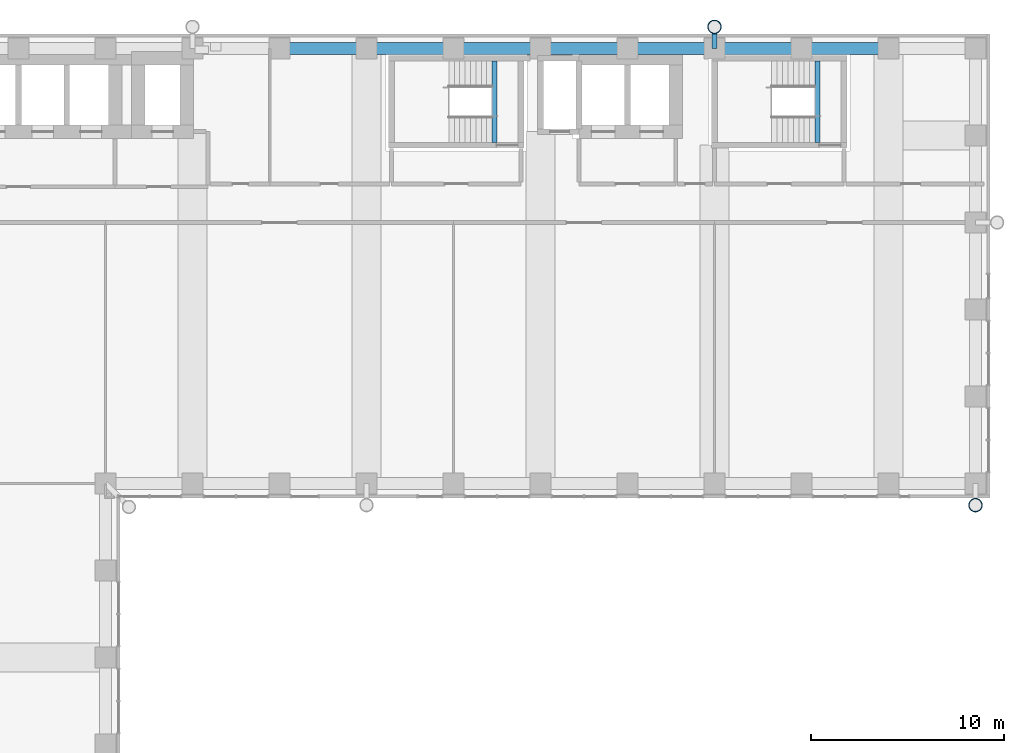
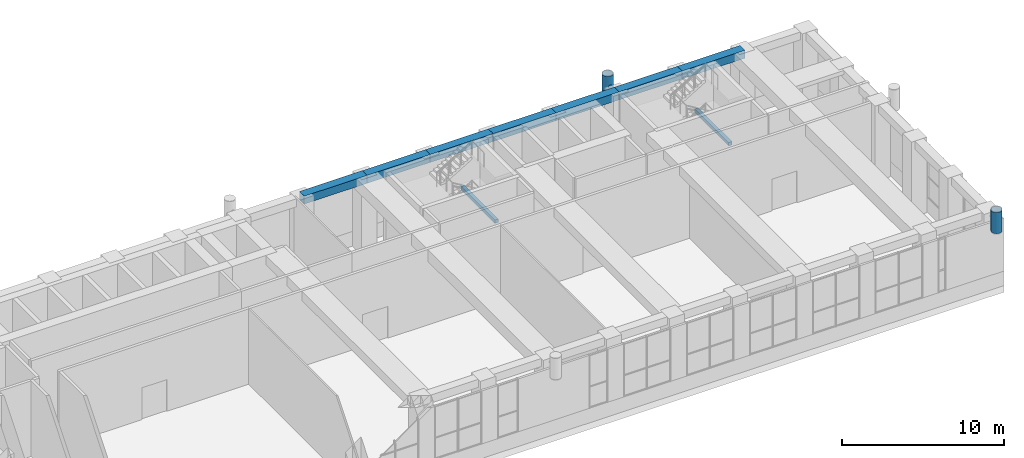
# One storey, part 8 of 22: 9 beams, 3 members.
"""IFC4 building model written with IfcOpenShell, lengths in metres."""

from ifc_helpers import new_model, si_unit, direction, frame, origin, origin_2d, place, context, subcontext, project, spatial, rectangle, hollow_circle, extrude, material, material_profile, profile_set, type_object, element, save


model = new_model("IFC4")

# Units and contexts
model_context = context("Model", 3, precision=1e-05, world=origin(), true_north=direction((0.0, 1.0)))
body_context = subcontext(model_context, "Body", "Model", "MODEL_VIEW")
ifc_project = project(units=[si_unit("LENGTHUNIT", "METRE"), si_unit("AREAUNIT", "SQUARE_METRE"), si_unit("VOLUMEUNIT", "CUBIC_METRE"), si_unit("PLANEANGLEUNIT", "RADIAN"), si_unit("MASSUNIT", "GRAM", prefix="KILO")], contexts=[model_context])

# Site, building, storey
site_placement = place(None, origin())
site = spatial("IfcSite", under=ifc_project, at=site_placement, CompositionType="ELEMENT")
building_placement = place(site_placement, origin())
building = spatial("IfcBuilding", under=site, at=building_placement, Name="Firuza Court", CompositionType="ELEMENT")
storey_placement = place(building_placement, frame((0.0, 0.0, 113.60009765625)))
storey = spatial("IfcBuildingStorey", under=building, at=storey_placement, Name="L28", CompositionType="ELEMENT", Elevation=113.60009765625)

# Members
ifc_material_1 = material(Name="Steel S355", Category="steel")
ifc_material_profile_1 = material_profile(ifc_material_1, hollow_circle(Radius=0.35546875, WallThickness=0.030029296875, at=origin_2d()), Name="CHS 711x30")
ifc_profile_set_1 = profile_set([ifc_material_profile_1], Name="Steel S355")
member_type_1 = type_object("IfcMemberType", Name="Diagrid node CHS 711x30 S355", PredefinedType="USERDEFINED", material=ifc_profile_set_1)
for number, where, z_axis, x_axis, name in (
    (1, (54.0, 59.6201171875, 4.64990234375), (0.0, 0.0, 1.0), (1.0, 0.0, 0.0), "Diagrid node level L28"),
    (2, (67.5, 34.8798828125, 4.64990234375), (0.0, 0.0, 1.0), (1.0, 0.0, 0.0), "Diagrid node level L28"),
):
    element("IfcMember", number, at=place(storey_placement, frame(where, z_axis=z_axis, x_axis=x_axis)), inside=storey, type_object=member_type_1, Name=name, ObjectType="DIAGRID NODE", PredefinedType="USERDEFINED", context=body_context, shape_type="SweptSolid", body=[
        extrude(hollow_circle(Radius=0.35546875, WallThickness=0.030029296875, at=origin_2d()), origin(), (0.0, 0.0, 1.0), 1.60009765625),
    ])
ifc_material_2 = material(Name="Steel S355", Category="steel")
ifc_material_profile_2 = material_profile(ifc_material_2, hollow_circle(Radius=0.136474609375, WallThickness=0.012451171875, at=origin_2d()), Name="CHS 273x12.5")
ifc_profile_set_2 = profile_set([ifc_material_profile_2], Name="Steel S355")
member_type_2 = type_object("IfcMemberType", Name="Diagrid tie CHS 273x12.5 S355", PredefinedType="STRUT", material=ifc_profile_set_2)
member_placement = place(storey_placement, frame((54.0, 58.5, 5.449951171875), z_axis=(0.0, 1.0, 0.0), x_axis=(-1.0, 0.0, 0.0)))
element("IfcMember", 3, at=member_placement, inside=storey, type_object=member_type_2, Name="Diagrid tie level L29", PredefinedType="STRUT", context=body_context, shape_type="SweptSolid", body=[
    extrude(hollow_circle(Radius=0.136474609375, WallThickness=0.012451171875, at=origin_2d()), origin(), (0.0, 0.0, 1.0), 1.1201171875),
])

# Beams
ifc_material_3 = material(Name="Concrete C40/50", Category="concrete")
ifc_material_profile_3 = material_profile(ifc_material_3, rectangle(XDim=0.25, YDim=0.25, at=origin_2d()), Name="RC 250x250")
ifc_profile_set_3 = profile_set([ifc_material_profile_3], Name="Concrete C40/50")
beam_type_1 = type_object("IfcBeamType", Name="Landing beam RC 250x250 C40/50", PredefinedType="BEAM", material=ifc_profile_set_3)
for number, where, z_axis, x_axis, name in (
    (4, (42.625, 53.64990234375, 2.6748046875), (0.0, 1.0, 0.0), (-1.0, 0.0, 0.0), "Landing beam S1 L28"),
    (5, (59.324951171875, 53.64990234375, 2.6748046875), (0.0, 1.0, 0.0), (-1.0, 0.0, 0.0), "Landing beam S4 L28"),
):
    element("IfcBeam", number, at=place(storey_placement, frame(where, z_axis=z_axis, x_axis=x_axis)), inside=storey, type_object=beam_type_1, Name=name, PredefinedType="BEAM", context=body_context, shape_type="SweptSolid", body=[
        extrude(rectangle(XDim=0.25, YDim=0.25, at=origin_2d()), origin(), (0.0, 0.0, 1.0), 4.2001953125),
    ])
ifc_material_4 = material(Name="Concrete C40/50", Category="concrete")
ifc_material_profile_4 = material_profile(ifc_material_4, rectangle(XDim=0.60009765625, YDim=0.60009765625, at=origin_2d()), Name="RC 600x600")
ifc_profile_set_4 = profile_set([ifc_material_profile_4], Name="Concrete C40/50")
beam_type_2 = type_object("IfcBeamType", Name="Spandrel beam RC 600x600 C40/50", PredefinedType="BEAM", material=ifc_profile_set_4)
for number, where, z_axis, x_axis, name in (
    (6, (36.0, 58.5, 5.39990234375), (-1.0, 0.0, 0.0), (0.0, -1.0, 0.0), "Spandrel beam SP11 level L29"),
    (7, (40.5, 58.5, 5.39990234375), (-1.0, 0.0, 0.0), (0.0, -1.0, 0.0), "Spandrel beam SP11 level L29"),
    (8, (45.0, 58.5, 5.39990234375), (-1.0, 0.0, 0.0), (0.0, -1.0, 0.0), "Spandrel beam SP11 level L29"),
    (9, (49.5, 58.5, 5.39990234375), (-1.0, 0.0, 0.0), (0.0, -1.0, 0.0), "Spandrel beam SP11 level L29"),
    (10, (54.0, 58.5, 5.39990234375), (-1.0, 0.0, 0.0), (0.0, -1.0, 0.0), "Spandrel beam SP11 level L29"),
    (11, (58.5, 58.5, 5.39990234375), (-1.0, 0.0, 0.0), (0.0, -1.0, 0.0), "Spandrel beam SP11 level L29"),
    (12, (63.0, 58.5, 5.39990234375), (-1.0, 0.0, 0.0), (0.0, -1.0, 0.0), "Spandrel beam SP11 level L29"),
):
    element("IfcBeam", number, at=place(storey_placement, frame(where, z_axis=z_axis, x_axis=x_axis)), inside=storey, type_object=beam_type_2, Name=name, PredefinedType="BEAM", context=body_context, shape_type="SweptSolid", body=[
        extrude(rectangle(XDim=0.60009765625, YDim=0.60009765625, at=origin_2d()), origin(), (0.0, 0.0, 1.0), 4.5),
    ])

save(model, "model.ifc")
